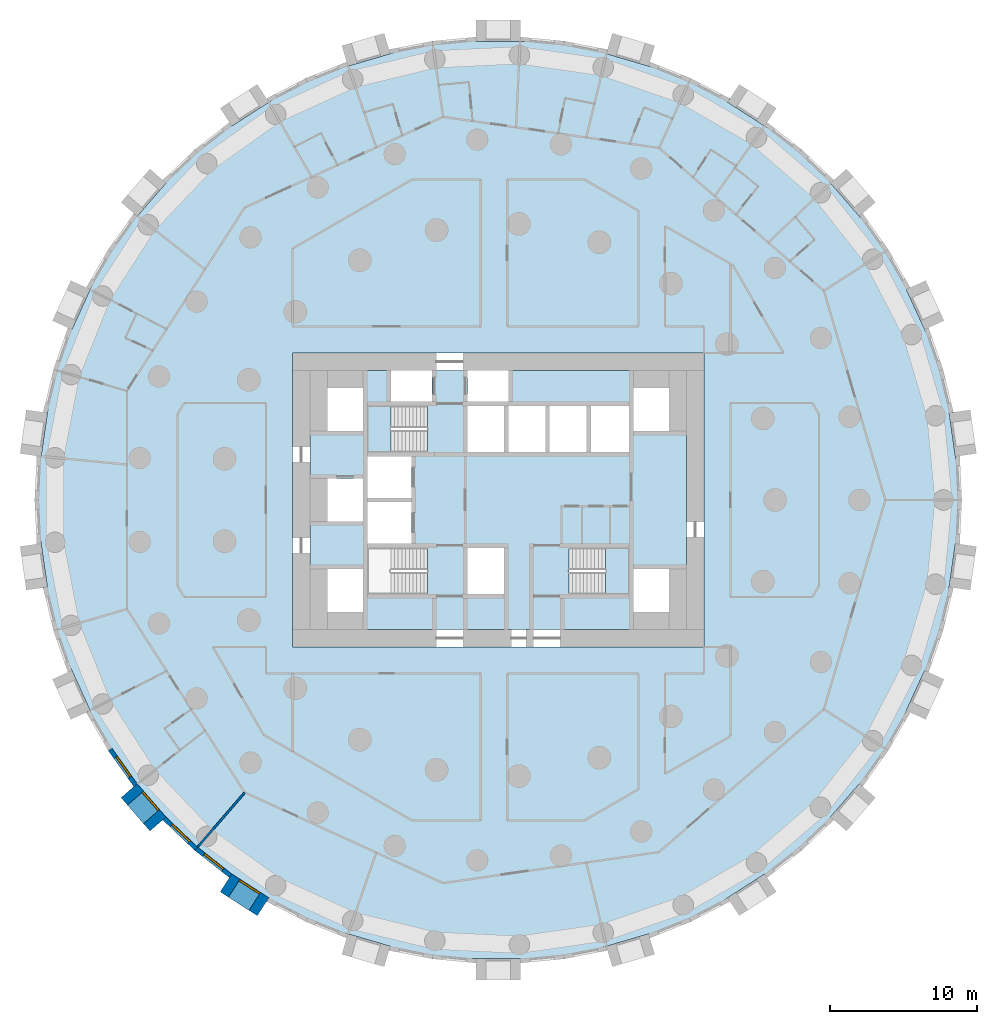
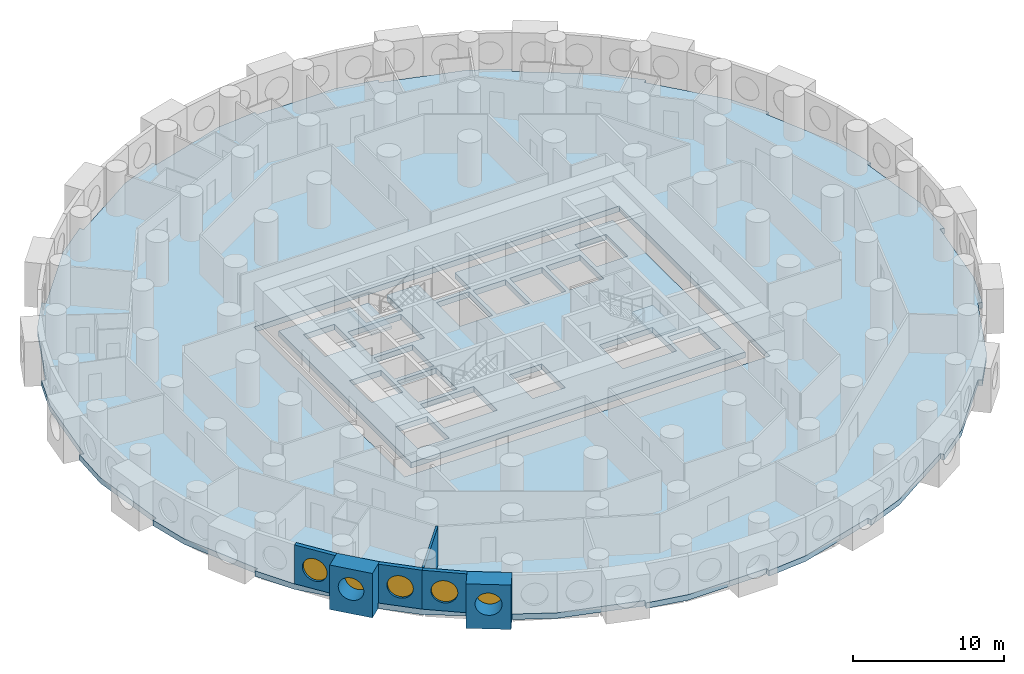
# One storey, part 2 of 12: 6 walls, 5 windows, 4 slabs, 5 openings, 2 elements without a shape of their own.
"""IFC4 building model written with IfcOpenShell, lengths in metres."""

from ifc_helpers import new_model, si_unit, direction, frame, frame_2d, origin, origin_2d, place, context, subcontext, project, spatial, polyline, rectangle, circle, outline, extrude, material, layer, layer_set, type_object, element, fill, aggregate, save


model = new_model("IFC4")

# Units and contexts
model_context = context("Model", 3, precision=1e-05, world=origin(), true_north=direction((0.0, 1.0)))
body_context = subcontext(model_context, "Body", "Model", "MODEL_VIEW")
ifc_project = project(units=[si_unit("LENGTHUNIT", "METRE"), si_unit("AREAUNIT", "SQUARE_METRE"), si_unit("VOLUMEUNIT", "CUBIC_METRE"), si_unit("PLANEANGLEUNIT", "RADIAN"), si_unit("MASSUNIT", "GRAM", prefix="KILO")], contexts=[model_context])

# Site, building, storey
site_placement = place(None, origin())
site = spatial("IfcSite", under=ifc_project, at=site_placement, CompositionType="ELEMENT")
building_placement = place(site_placement, origin())
building = spatial("IfcBuilding", under=site, at=building_placement, Name="Tracery Tower", CompositionType="ELEMENT")
storey_placement = place(building_placement, frame((0.0, 0.0, 49.800048828125)))
storey = spatial("IfcBuildingStorey", under=building, at=storey_placement, Name="L11", CompositionType="ELEMENT", Elevation=49.800048828125)

# Slabs
ifc_material_1 = material(Name="Concrete C60/75", Category="concrete")
ifc_layer_1 = layer(ifc_material_1, 0.449951171875)
ifc_layer_set_1 = layer_set([ifc_layer_1], Name="Core floor slab 450 C60")
slab_type_1 = type_object("IfcSlabType", Name="Core floor slab 450 C60", PredefinedType="FLOOR", material=ifc_layer_set_1)
slab_1_placement = place(storey_placement, frame((0.0, 0.0, -0.449951171875)))
element("IfcSlab", 1, at=slab_1_placement, inside=storey, type_object=slab_type_1, Name="L11 core floor 1", PredefinedType="FLOOR", context=body_context, shape_type="SweptSolid", body=[
    extrude(outline(polyline([(-12.800048828125, 8.800048828125), (-7.300048828125, 8.800048828125), (-7.300048828125, 6.699951171875), (-4.5, 6.699951171875), (-4.5, 8.800048828125), (-2.10009765625, 8.800048828125), (-2.10009765625, 6.699951171875), (0.699951171875, 6.699951171875), (0.699951171875, 8.800048828125), (12.800048828125, 8.800048828125), (12.800048828125, -8.800048828125), (-12.800048828125, -8.800048828125), (-12.800048828125, 8.800048828125)]), holes=[polyline([(11.60009765625, -7.60009765625), (11.60009765625, -4.699951171875), (9.199951171875, -4.699951171875), (9.199951171875, -7.60009765625), (11.60009765625, -7.60009765625)]), polyline([(11.60009765625, 4.699951171875), (11.60009765625, 7.60009765625), (9.199951171875, 7.60009765625), (9.199951171875, 4.699951171875), (11.60009765625, 4.699951171875)]), polyline([(4.800537109375, -3.25), (4.800537109375, -6.39990234375), (8.89990234375, -6.39990234375), (8.89990234375, -3.25), (4.800537109375, -3.25)]), polyline([(6.300048828125, 3.25), (8.89990234375, 3.25), (8.89990234375, 6.39990234375), (6.300048828125, 6.39990234375), (6.300048828125, 3.25)]), polyline([(3.5, 3.25), (6.0, 3.25), (6.0, 6.39990234375), (3.5, 6.39990234375), (3.5, 3.25)]), polyline([(3.199951171875, 3.25), (3.199951171875, 6.39990234375), (0.699951171875, 6.39990234375), (0.699951171875, 3.25), (3.199951171875, 3.25)]), polyline([(-2.10009765625, 3.25), (0.39990234375, 3.25), (0.39990234375, 6.39990234375), (-2.10009765625, 6.39990234375), (-2.10009765625, 3.25)]), polyline([(0.39990234375, -6.39990234375), (0.39990234375, -3.25), (-2.10009765625, -3.25), (-2.10009765625, -6.39990234375), (0.39990234375, -6.39990234375)]), polyline([(-4.800537109375, -3.25), (-8.89990234375, -3.25), (-8.89990234375, -6.39990234375), (-4.800537109375, -6.39990234375), (-4.800537109375, -3.25)]), polyline([(-4.800537109375, 6.39990234375), (-8.89990234375, 6.39990234375), (-8.89990234375, 3.25), (-4.800537109375, 3.25), (-4.800537109375, 6.39990234375)]), polyline([(-8.89990234375, -2.949951171875), (-5.89990234375, -2.949951171875), (-5.89990234375, -0.14990234375), (-8.89990234375, -0.14990234375), (-8.89990234375, -2.949951171875)]), polyline([(-5.89990234375, 0.14990234375), (-5.89990234375, 2.949951171875), (-8.89990234375, 2.949951171875), (-8.89990234375, 0.14990234375), (-5.89990234375, 0.14990234375)]), polyline([(-11.60009765625, 4.699951171875), (-9.199951171875, 4.699951171875), (-9.199951171875, 7.60009765625), (-11.60009765625, 7.60009765625), (-11.60009765625, 4.699951171875)]), polyline([(-9.199951171875, -7.60009765625), (-9.199951171875, -4.699951171875), (-11.60009765625, -4.699951171875), (-11.60009765625, -7.60009765625), (-9.199951171875, -7.60009765625)]), polyline([(-9.199951171875, -1.449951171875), (-9.199951171875, 1.449951171875), (-11.60009765625, 1.449951171875), (-11.60009765625, -1.449951171875), (-9.199951171875, -1.449951171875)])]), origin(), (0.0, 0.0, 1.0), 0.449951171875),
])
ifc_material_2 = material(Name="Concrete C50/60", Category="concrete")
ifc_layer_2 = layer(ifc_material_2, 0.449951171875)
ifc_layer_set_2 = layer_set([ifc_layer_2], Name="Floor slab 450")
slab_type_2 = type_object("IfcSlabType", Name="Floor slab 450", PredefinedType="FLOOR", material=ifc_layer_set_2)
slab_2_placement = place(storey_placement, frame((0.0, 0.0, -0.449951171875)))
element("IfcSlab", 2, at=slab_2_placement, inside=storey, type_object=slab_type_2, Name="Floor slab L11", PredefinedType="FLOOR", context=body_context, shape_type="SweptSolid", body=[
    extrude(outline(polyline([(31.0849609375, 2.953857421875), (31.0849609375, 2.953857421875), (30.673583984375, 5.814697265625), (30.659912109375, 5.9091796875), (30.659912109375, 5.9091796875), (30.657958984375, 5.92333984375), (30.954345703125, 5.966064453125), (30.954833984375, 5.966064453125), (30.24755859375, 8.881591796875), (28.99365234375, 11.591796875), (28.993408203125, 11.591796875), (28.74609375, 12.1337890625), (27.753173828125, 14.307861328125), (27.753173828125, 14.307861328125), (27.747314453125, 14.32080078125), (28.020263671875, 14.4453125), (26.520263671875, 17.04345703125), (24.55322265625, 19.290771484375), (24.55322265625, 19.290771484375), (22.588623046875, 21.55810546875), (22.814697265625, 21.75390625), (22.8154296875, 21.75439453125), (20.644287109375, 23.82470703125), (18.123779296875, 25.4267578125), (18.123779296875, 25.4267578125), (18.12060546875, 25.428955078125), (18.11181640625, 25.4345703125), (15.612060546875, 27.041015625), (15.612060546875, 27.041015625), (15.60009765625, 27.048583984375), (15.76220703125, 27.301025390625), (13.095703125, 28.67578125), (10.226318359375, 29.5029296875), (10.226318359375, 29.5029296875), (7.34765625, 30.34814453125), (7.43212890625, 30.6357421875), (7.43212890625, 30.635986328125), (4.486328125, 31.20361328125), (1.5, 31.18896484375), (1.5, 31.18896484375), (-1.5, 31.18896484375), (-1.5, 31.489013671875), (-4.486328125, 31.20361328125), (-7.34765625, 30.34814453125), (-7.34765625, 30.34814453125), (-10.226318359375, 29.5029296875), (-10.310791015625, 29.790771484375), (-10.310791015625, 29.790771484375), (-13.095703125, 28.67578125), (-15.60009765625, 27.048828125), (-15.60009765625, 27.048583984375), (-15.60888671875, 27.04296875), (-15.612060546875, 27.041015625), (-18.11181640625, 25.4345703125), (-18.11181640625, 25.4345703125), (-18.123779296875, 25.4267578125), (-18.285888671875, 25.6787109375), (-18.2861328125, 25.67919921875), (-20.644287109375, 23.82470703125), (-22.5888671875, 21.55810546875), (-22.588623046875, 21.55810546875), (-24.55322265625, 19.290771484375), (-24.77978515625, 19.487060546875), (-24.780029296875, 19.4873046875), (-26.520263671875, 17.04345703125), (-27.747314453125, 14.32080078125), (-27.747314453125, 14.32080078125), (-27.751708984375, 14.311279296875), (-27.753173828125, 14.307861328125), (-28.74609375, 12.1337890625), (-28.993408203125, 11.591796875), (-29.266357421875, 11.716552734375), (-30.24755859375, 8.881591796875), (-30.657958984375, 5.92333984375), (-30.657958984375, 5.92333984375), (-30.659912109375, 5.909423828125), (-30.659912109375, 5.9091796875), (-30.673583984375, 5.814697265625), (-31.0849609375, 2.953857421875), (-31.381591796875, 2.99658203125), (-31.3818359375, 2.99658203125), (-31.524658203125, 0.0), (-31.0849609375, -2.953857421875), (-31.0849609375, -2.953857421875), (-30.673583984375, -5.814697265625), (-30.659912109375, -5.9091796875), (-30.659912109375, -5.9091796875), (-30.657958984375, -5.92333984375), (-30.954345703125, -5.966064453125), (-30.954833984375, -5.966064453125), (-30.24755859375, -8.881591796875), (-28.99365234375, -11.591796875), (-28.993408203125, -11.591796875), (-28.74609375, -12.1337890625), (-27.753173828125, -14.307861328125), (-27.753173828125, -14.307861328125), (-27.747314453125, -14.32080078125), (-28.020263671875, -14.4453125), (-26.520263671875, -17.04345703125), (-24.55322265625, -19.290771484375), (-24.55322265625, -19.290771484375), (-22.588623046875, -21.55810546875), (-22.814697265625, -21.75390625), (-22.8154296875, -21.75439453125), (-20.644287109375, -23.82470703125), (-18.123779296875, -25.4267578125), (-18.123779296875, -25.4267578125), (-18.12060546875, -25.428955078125), (-18.11181640625, -25.4345703125), (-15.612060546875, -27.041015625), (-15.612060546875, -27.041015625), (-15.60009765625, -27.048583984375), (-15.76220703125, -27.301025390625), (-13.095703125, -28.67578125), (-10.226318359375, -29.5029296875), (-10.226318359375, -29.5029296875), (-7.34765625, -30.34814453125), (-7.43212890625, -30.6357421875), (-7.43212890625, -30.635986328125), (-4.486328125, -31.20361328125), (-1.5, -31.18896484375), (-1.5, -31.18896484375), (1.5, -31.18896484375), (1.5, -31.489013671875), (4.486328125, -31.20361328125), (7.34765625, -30.34814453125), (7.34765625, -30.34814453125), (10.226318359375, -29.5029296875), (10.310791015625, -29.790771484375), (10.310791015625, -29.790771484375), (13.095703125, -28.67578125), (15.60009765625, -27.048828125), (15.60009765625, -27.048583984375), (15.60888671875, -27.04296875), (15.612060546875, -27.041015625), (18.11181640625, -25.4345703125), (18.11181640625, -25.4345703125), (18.123779296875, -25.4267578125), (18.285888671875, -25.6787109375), (18.2861328125, -25.67919921875), (20.644287109375, -23.82470703125), (22.5888671875, -21.55810546875), (22.588623046875, -21.55810546875), (24.55322265625, -19.290771484375), (24.77978515625, -19.487060546875), (24.780029296875, -19.4873046875), (26.520263671875, -17.04345703125), (27.747314453125, -14.32080078125), (27.747314453125, -14.32080078125), (27.751708984375, -14.311279296875), (27.753173828125, -14.307861328125), (28.74609375, -12.1337890625), (28.993408203125, -11.591796875), (29.266357421875, -11.716552734375), (30.24755859375, -8.881591796875), (30.657958984375, -5.92333984375), (30.657958984375, -5.92333984375), (30.659912109375, -5.909423828125), (30.659912109375, -5.9091796875), (30.673583984375, -5.814697265625), (31.0849609375, -2.953857421875), (31.381591796875, -2.99658203125), (31.3818359375, -2.99658203125), (31.524658203125, 0.0), (31.0849609375, 2.953857421875)]), holes=[polyline([(-14.0, -10.0), (14.0, -10.0), (14.0, 10.0), (-14.0, 10.0), (-14.0, -10.0)])]), origin(), (0.0, 0.0, 1.0), 0.449951171875),
])

# Stair, slab
ifc_material_3 = material(Name="Concrete C32/40", Category="concrete")
stair_type = type_object("IfcStairType", Name="Core stair 22 risers", PredefinedType="HALF_TURN_STAIR", material=ifc_material_3)
stair_1_placement = place(storey_placement, origin())
stair_1 = element("IfcStair", 3, at=stair_1_placement, inside=storey, type_object=stair_type, Name="L11 stair ST3", PredefinedType="HALF_TURN_STAIR")
ifc_material_4 = material(Name="Concrete C32/40", Category="concrete")
ifc_layer_3 = layer(ifc_material_4, 0.199951171875)
ifc_layer_set_3 = layer_set([ifc_layer_3], Name="Stair landing slab 200")
slab_type_3 = type_object("IfcSlabType", Name="Stair landing slab 200", PredefinedType="LANDING", material=ifc_layer_set_3)
slab_3_placement = place(storey_placement, frame((0.0, 0.0, 1.599853515625)))
slab_3 = element("IfcSlab", 4, at=slab_3_placement, type_object=slab_type_3, Name="ST3 landing 1", PredefinedType="LANDING", context=body_context, shape_type="SweptSolid", body=[
    extrude(outline(polyline([(-7.29931640625, 6.39990234375), (-8.89990234375, 6.39990234375), (-8.89990234375, 3.25), (-7.29931640625, 3.25), (-7.29931640625, 6.39990234375)])), origin(), (0.0, 0.0, 1.0), 0.2001953125),
])
aggregate(stair_1, [slab_3])

stair_2_placement = place(storey_placement, origin())
stair_2 = element("IfcStair", 5, at=stair_2_placement, inside=storey, type_object=stair_type, Name="L11 stair ST2", PredefinedType="HALF_TURN_STAIR")
slab_4_placement = place(storey_placement, frame((0.0, 0.0, 1.599853515625)))
slab_4 = element("IfcSlab", 6, at=slab_4_placement, type_object=slab_type_3, Name="ST2 landing 1", PredefinedType="LANDING", context=body_context, shape_type="SweptSolid", body=[
    extrude(outline(polyline([(7.29931640625, -6.39990234375), (8.89990234375, -6.39990234375), (8.89990234375, -3.25), (7.29931640625, -3.25), (7.29931640625, -6.39990234375)])), origin(), (0.0, 0.0, 1.0), 0.2001953125),
])
aggregate(stair_2, [slab_4])

# Wall, opening, window
ifc_material_5 = material(Name="Precast concrete C50/60", Category="concrete")
ifc_layer_4 = layer(ifc_material_5, 1.449951171875)
ifc_layer_set_4 = layer_set([ifc_layer_4], Name="Deep-set bay unit 3000 x 3600, slab edge 450")
wall_type_1 = type_object("IfcWallType", Name="Deep-set bay unit 3000 x 3600, slab edge 450", PredefinedType="ELEMENTEDWALL", material=ifc_layer_set_4)
wall_1_placement = place(storey_placement, frame((-25.101318359375, -19.765625, -0.449951171875), z_axis=(0.0, 0.0, 1.0), x_axis=(0.654890259022, -0.75572398972, 0.0)))
wall_1 = element("IfcWall", 7, at=wall_1_placement, inside=storey, type_object=wall_type_1, Name="Deep-set bay unit 41 at L11", PredefinedType="ELEMENTEDWALL", context=body_context, shape_type="SweptSolid", body=[
    extrude(rectangle(XDim=3.0, YDim=1.449951171875, at=frame_2d((1.5, 0.0))), origin(), (0.0, 0.0, 1.0), 3.599853515625),
])
opening_1_placement = place(wall_1_placement, frame((1.5, 0.0, 2.0)))
opening_1 = element("IfcOpeningElement", 8, at=opening_1_placement, cuts=wall_1, Name="Opening WN1", PredefinedType="OPENING", context=body_context, shape_type="SweptSolid", body=[
    extrude(circle(Radius=0.9000244140625, at=origin_2d()), frame((0.0, 0.73486328125, 0.0), z_axis=(0.0, -1.0, 0.0), x_axis=(1.0, 0.0, 0.0)), (0.0, 0.0, 1.0), 1.469970703125),
])
ifc_material_6 = material(Name="Aluminium frame with tinted double glazing", Category="aluminium")
window_type = type_object("IfcWindowType", Name="Round window 1800", PartitioningType="SINGLE_PANEL", PredefinedType="WINDOW", material=ifc_material_6)
window_1_placement = place(opening_1_placement, origin())
window_1 = element("IfcWindow", 9, at=window_1_placement, inside=storey, type_object=window_type, Name="Round window 41 at L11", OverallHeight=1.800048828125, OverallWidth=1.800048828125, PartitioningType="SINGLE_PANEL", PredefinedType="WINDOW", context=body_context, shape_type="SweptSolid", body=[
    extrude(circle(Radius=0.9000244140625, at=origin_2d()), frame((0.0, 0.69482421875, 0.0), z_axis=(0.0, -1.0, 0.0), x_axis=(1.0, 0.0, 0.0)), (0.0, 0.0, 1.0), 0.10009765625),
])
fill(opening_1, window_1)

wall_2_placement = place(storey_placement, frame((-18.515869140625, -26.03662109375, -0.449951171875), z_axis=(0.0, 0.0, 1.0), x_axis=(0.841223422347, -0.540687667415, 0.0)))
wall_2 = element("IfcWall", 10, at=wall_2_placement, inside=storey, type_object=wall_type_1, Name="Deep-set bay unit 44 at L11", PredefinedType="ELEMENTEDWALL", context=body_context, shape_type="SweptSolid", body=[
    extrude(rectangle(XDim=3.0, YDim=1.449951171875, at=frame_2d((1.5, 0.0))), origin(), (0.0, 0.0, 1.0), 3.599853515625),
])
opening_2_placement = place(wall_2_placement, frame((1.5, 0.0, 2.0)))
opening_2 = element("IfcOpeningElement", 11, at=opening_2_placement, cuts=wall_2, Name="Opening WN1", PredefinedType="OPENING", context=body_context, shape_type="SweptSolid", body=[
    extrude(circle(Radius=0.9000244140625, at=origin_2d()), frame((0.0, 0.73486328125, 0.0), z_axis=(0.0, -1.0, 0.0), x_axis=(1.0, 0.0, 0.0)), (0.0, 0.0, 1.0), 1.469970703125),
])
window_2_placement = place(opening_2_placement, origin())
window_2 = element("IfcWindow", 12, at=window_2_placement, inside=storey, type_object=window_type, Name="Round window 44 at L11", OverallHeight=1.800048828125, OverallWidth=1.800048828125, PartitioningType="SINGLE_PANEL", PredefinedType="WINDOW", context=body_context, shape_type="SweptSolid", body=[
    extrude(circle(Radius=0.9000244140625, at=origin_2d()), frame((0.0, 0.69482421875, 0.0), z_axis=(0.0, -1.0, 0.0), x_axis=(1.0, 0.0, 0.0)), (0.0, 0.0, 1.0), 0.10009765625),
])
fill(opening_2, window_2)

ifc_material_7 = material(Name="Precast concrete C50/60", Category="concrete")
ifc_layer_5 = layer(ifc_material_7, 0.300048828125)
ifc_layer_set_5 = layer_set([ifc_layer_5], Name="Facade panel 3000 x 3150")
wall_type_2 = type_object("IfcWallType", Name="Facade panel 3000 x 3150", PredefinedType="SOLIDWALL", material=ifc_layer_set_5)
wall_3_placement = place(storey_placement, frame((-26.393798828125, -16.96240234375, 0.0), z_axis=(0.0, 0.0, 1.0), x_axis=(0.580059407678, -0.81457417315, 0.0)))
wall_3 = element("IfcWall", 13, at=wall_3_placement, inside=storey, type_object=wall_type_2, Name="Facade panel 40 at L11", PredefinedType="SOLIDWALL", context=body_context, shape_type="SweptSolid", body=[
    extrude(rectangle(XDim=2.9794921875, YDim=0.300048828125, at=frame_2d((1.48974609375, 0.0))), origin(), (0.0, 0.0, 1.0), 3.14990234375),
])
opening_3_placement = place(wall_3_placement, frame((1.48974609375, 0.0, 1.5498046875)))
opening_3 = element("IfcOpeningElement", 14, at=opening_3_placement, cuts=wall_3, Name="Opening WN1", PredefinedType="OPENING", context=body_context, shape_type="SweptSolid", body=[
    extrude(circle(Radius=0.9000244140625, at=origin_2d()), frame((0.0, 0.159912109375, 0.0), z_axis=(0.0, -1.0, 0.0), x_axis=(1.0, 0.0, 0.0)), (0.0, 0.0, 1.0), 0.320068359375),
])
window_3_placement = place(opening_3_placement, origin())
window_3 = element("IfcWindow", 15, at=window_3_placement, inside=storey, type_object=window_type, Name="Round window 40 at L11", OverallHeight=1.800048828125, OverallWidth=1.800048828125, PartitioningType="SINGLE_PANEL", PredefinedType="WINDOW", context=body_context, shape_type="SweptSolid", body=[
    extrude(circle(Radius=0.9000244140625, at=origin_2d()), frame((0.0, 0.1201171875, 0.0), z_axis=(0.0, -1.0, 0.0), x_axis=(1.0, 0.0, 0.0)), (0.0, 0.0, 1.0), 0.10009765625),
])
fill(opening_3, window_3)

wall_4_placement = place(storey_placement, frame((-22.702392578125, -21.655029296875, 0.0), z_axis=(0.0, 0.0, 1.0), x_axis=(0.723744206617, -0.690068346896, 0.0)))
wall_4 = element("IfcWall", 16, at=wall_4_placement, inside=storey, type_object=wall_type_2, Name="Facade panel 42 at L11", PredefinedType="SOLIDWALL", context=body_context, shape_type="SweptSolid", body=[
    extrude(rectangle(XDim=2.979736328125, YDim=0.300048828125, at=frame_2d((1.48974609375, 0.0))), origin(), (0.0, 0.0, 1.0), 3.14990234375),
])
opening_4_placement = place(wall_4_placement, frame((1.48974609375, 0.0, 1.5498046875)))
opening_4 = element("IfcOpeningElement", 17, at=opening_4_placement, cuts=wall_4, Name="Opening WN1", PredefinedType="OPENING", context=body_context, shape_type="SweptSolid", body=[
    extrude(circle(Radius=0.9000244140625, at=origin_2d()), frame((0.0, 0.159912109375, 0.0), z_axis=(0.0, -1.0, 0.0), x_axis=(1.0, 0.0, 0.0)), (0.0, 0.0, 1.0), 0.320068359375),
])
window_4_placement = place(opening_4_placement, origin())
window_4 = element("IfcWindow", 18, at=window_4_placement, inside=storey, type_object=window_type, Name="Round window 42 at L11", OverallHeight=1.800048828125, OverallWidth=1.800048828125, PartitioningType="SINGLE_PANEL", PredefinedType="WINDOW", context=body_context, shape_type="SweptSolid", body=[
    extrude(circle(Radius=0.9000244140625, at=origin_2d()), frame((0.0, 0.1201171875, 0.0), z_axis=(0.0, -1.0, 0.0), x_axis=(1.0, 0.0, 0.0)), (0.0, 0.0, 1.0), 0.10009765625),
])
fill(opening_4, window_4)

wall_5_placement = place(storey_placement, frame((-20.5458984375, -23.711181640625, 0.0), z_axis=(0.0, 0.0, 1.0), x_axis=(0.786045331304, -0.618168858108, 0.0)))
wall_5 = element("IfcWall", 19, at=wall_5_placement, inside=storey, type_object=wall_type_2, Name="Facade panel 43 at L11", PredefinedType="SOLIDWALL", context=body_context, shape_type="SweptSolid", body=[
    extrude(rectangle(XDim=2.979736328125, YDim=0.300048828125, at=frame_2d((1.48974609375, 0.0))), origin(), (0.0, 0.0, 1.0), 3.14990234375),
])
opening_5_placement = place(wall_5_placement, frame((1.48974609375, 0.0, 1.5498046875)))
opening_5 = element("IfcOpeningElement", 20, at=opening_5_placement, cuts=wall_5, Name="Opening WN1", PredefinedType="OPENING", context=body_context, shape_type="SweptSolid", body=[
    extrude(circle(Radius=0.9000244140625, at=origin_2d()), frame((0.0, 0.159912109375, 0.0), z_axis=(0.0, -1.0, 0.0), x_axis=(1.0, 0.0, 0.0)), (0.0, 0.0, 1.0), 0.320068359375),
])
window_5_placement = place(opening_5_placement, origin())
window_5 = element("IfcWindow", 21, at=window_5_placement, inside=storey, type_object=window_type, Name="Round window 43 at L11", OverallHeight=1.800048828125, OverallWidth=1.800048828125, PartitioningType="SINGLE_PANEL", PredefinedType="WINDOW", context=body_context, shape_type="SweptSolid", body=[
    extrude(circle(Radius=0.9000244140625, at=origin_2d()), frame((0.0, 0.1201171875, 0.0), z_axis=(0.0, -1.0, 0.0), x_axis=(1.0, 0.0, 0.0)), (0.0, 0.0, 1.0), 0.10009765625),
])
fill(opening_5, window_5)

# Wall
ifc_material_8 = material(Name="Plasterboard on steel studs", Category="steel")
ifc_layer_6 = layer(ifc_material_8, 0.14990234375)
ifc_layer_set_6 = layer_set([ifc_layer_6], Name="Partition 150 acoustic unit wall")
wall_type_3 = type_object("IfcWallType", Name="Partition 150 acoustic unit wall", PredefinedType="PARTITIONING", material=ifc_layer_set_6)
wall_6_placement = place(storey_placement, frame((-20.447998046875, -23.597900390625, 0.0), z_axis=(0.0, 0.0, 1.0), x_axis=(0.654847179409, 0.755761319214, 0.0)))
element("IfcWall", 22, at=wall_6_placement, inside=storey, type_object=wall_type_3, Name="Unit wall RA3-099", PredefinedType="PARTITIONING", context=body_context, shape_type="SweptSolid", body=[
    extrude(rectangle(XDim=4.90625, YDim=0.14990234375, at=frame_2d((2.453125, 0.0))), origin(), (0.0, 0.0, 1.0), 3.14990234375),
])

save(model, "model.ifc")
